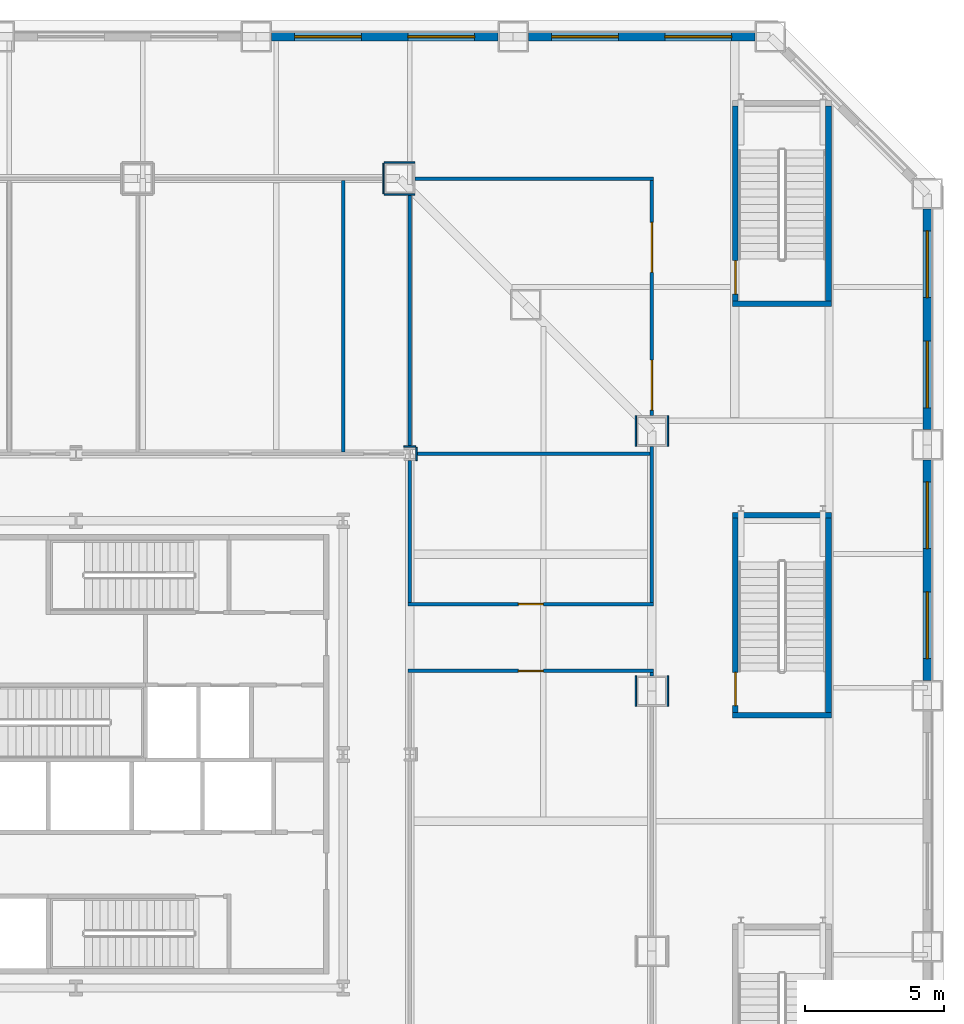
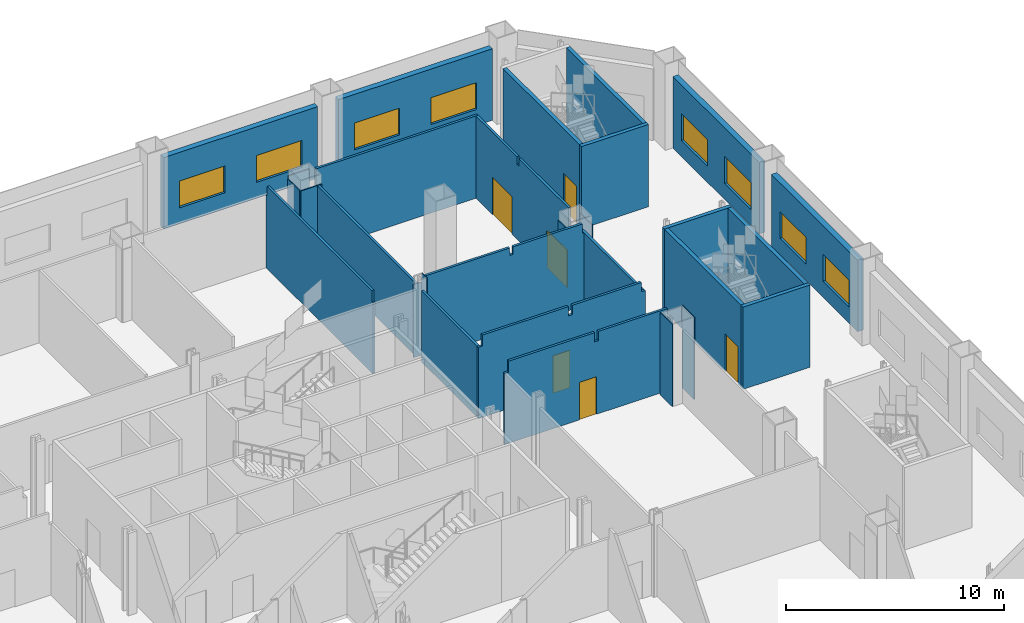
# One storey, part 18 of 26: 30 walls, 8 windows, 6 doors, 14 openings.
"""IFC4 building model written with IfcOpenShell, lengths in metres."""

from ifc_helpers import new_model, si_unit, direction, frame, frame_2d, origin, place, context, subcontext, project, spatial, polyline, rectangle, outline, extrude, material, layer, layer_set, type_object, element, fill, save


model = new_model("IFC4")

# Units and contexts
model_context = context("Model", 3, precision=1e-05, world=origin(), true_north=direction((0.0, 1.0)))
body_context = subcontext(model_context, "Body", "Model", "MODEL_VIEW")
ifc_project = project(units=[si_unit("LENGTHUNIT", "METRE"), si_unit("AREAUNIT", "SQUARE_METRE"), si_unit("VOLUMEUNIT", "CUBIC_METRE"), si_unit("PLANEANGLEUNIT", "RADIAN"), si_unit("MASSUNIT", "GRAM", prefix="KILO")], contexts=[model_context])

# Site, building, storey
site_placement = place(None, origin())
site = spatial("IfcSite", under=ifc_project, at=site_placement, CompositionType="ELEMENT")
building_placement = place(site_placement, origin())
building = spatial("IfcBuilding", under=site, at=building_placement, Name="Cairn Pilgrim Tower", CompositionType="ELEMENT")
storey_placement = place(building_placement, frame((0.0, 0.0, 21.0)))
storey = spatial("IfcBuildingStorey", under=building, at=storey_placement, Name="L03", CompositionType="ELEMENT", Elevation=21.0)

# Wall
ifc_material_1 = material(Name="Gypsum partition")
ifc_layer_1 = layer(ifc_material_1, 0.125)
ifc_layer_set_1 = layer_set([ifc_layer_1], Name="PARTITION 125 DRYWALL EI 60")
wall_type_1 = type_object("IfcWallType", Name="PARTITION 125 DRYWALL EI 60", PredefinedType="PARTITIONING", material=ifc_layer_set_1)
wall_1_placement = place(storey_placement, frame((27.89990234375, 5.2255859375, 0.0), z_axis=(0.0, 0.0, 1.0), x_axis=(0.0, 1.0, 0.0)))
element("IfcWall", 1, at=wall_1_placement, inside=storey, type_object=wall_type_1, Name="PARTITION W042", PredefinedType="PARTITIONING", context=body_context, shape_type="SweptSolid", body=[
    extrude(rectangle(XDim=0.11181640625, YDim=0.125, at=frame_2d((0.055908203125, 0.0))), origin(), (0.0, 0.0, 1.0), 4.080078125),
])

# Wall, opening, door
wall_2_placement = place(storey_placement, frame((19.137451171875, 5.39990234375, 0.0), z_axis=(0.0, 0.0, 1.0), x_axis=(1.0, 0.0, 0.0)))
wall_2 = element("IfcWall", 2, at=wall_2_placement, inside=storey, type_object=wall_type_1, Name="PARTITION W044", PredefinedType="PARTITIONING", context=body_context, shape_type="SweptSolid", body=[
    extrude(outline(polyline([(0.0, 0.0), (8.824951171875, 0.0), (8.824951171875, 4.080078125), (8.612548828125, 4.080078125), (8.610595703125, 4.60009765625), (4.96240234375, 4.60009765625), (4.96044921875, 4.080078125), (4.762451171875, 4.080078125), (4.760498046875, 4.60009765625), (0.21240234375, 4.60009765625), (0.21044921875, 3.97998046875), (0.0, 3.97998046875), (0.0, 0.0)])), frame((0.0, 0.0625, 0.0), z_axis=(0.0, -1.0, 0.0), x_axis=(1.0, 0.0, 0.0)), (0.0, 0.0, 1.0), 0.125),
])
opening_1_placement = place(wall_2_placement, frame((3.96240234375, 0.0, 0.0)))
opening_1 = element("IfcOpeningElement", 3, at=opening_1_placement, cuts=wall_2, Name="Opening 0316", PredefinedType="OPENING", context=body_context, shape_type="SweptSolid", body=[
    extrude(rectangle(XDim=0.89990234375, YDim=2.10009765625, at=frame_2d((0.449951171875, 1.050048828125))), frame((0.0, 0.072509765625, 0.0), z_axis=(0.0, -1.0, 0.0), x_axis=(1.0, 0.0, 0.0)), (0.0, 0.0, 1.0), 0.14501953125),
])
ifc_material_2 = material(Name="Timber door leaf", Category="wood")
door_type_1 = type_object("IfcDoorType", Name="SERVICE DOOR 900x2100 FD30S", OperationType="NOTDEFINED", PredefinedType="DOOR", material=ifc_material_2)
door_1_placement = place(opening_1_placement, origin())
door_1 = element("IfcDoor", 4, at=door_1_placement, inside=storey, type_object=door_type_1, Name="DOOR 0316", OperationType="SINGLE_SWING_RIGHT", OverallHeight=2.10009765625, OverallWidth=0.89990234375, PredefinedType="DOOR", context=body_context, shape_type="SweptSolid", body=[
    extrude(rectangle(XDim=0.89990234375, YDim=2.10009765625, at=frame_2d((0.449951171875, 1.050048828125))), frame((0.0, 0.02490234375, 0.0), z_axis=(0.0, -1.0, 0.0), x_axis=(1.0, 0.0, 0.0)), (0.0, 0.0, 1.0), 0.050048828125),
])
fill(opening_1, door_1)

wall_3_placement = place(storey_placement, frame((19.137451171875, 7.800048828125, 0.0), z_axis=(0.0, 0.0, 1.0), x_axis=(1.0, 0.0, 0.0)))
wall_3 = element("IfcWall", 5, at=wall_3_placement, inside=storey, type_object=wall_type_1, Name="PARTITION W047", PredefinedType="PARTITIONING", context=body_context, shape_type="SweptSolid", body=[
    extrude(outline(polyline([(0.0, 0.0), (8.824951171875, 0.0), (8.824951171875, 4.080078125), (8.612548828125, 4.080078125), (8.610595703125, 4.60009765625), (4.96240234375, 4.60009765625), (4.96044921875, 4.080078125), (4.762451171875, 4.080078125), (4.760498046875, 4.60009765625), (0.21240234375, 4.60009765625), (0.21044921875, 3.97998046875), (0.0, 3.97998046875), (0.0, 0.0)])), frame((0.0, 0.0625, 0.0), z_axis=(0.0, -1.0, 0.0), x_axis=(1.0, 0.0, 0.0)), (0.0, 0.0, 1.0), 0.125),
])
opening_2_placement = place(wall_3_placement, frame((3.96240234375, 0.0, 0.0)))
opening_2 = element("IfcOpeningElement", 6, at=opening_2_placement, cuts=wall_3, Name="Opening 0315", PredefinedType="OPENING", context=body_context, shape_type="SweptSolid", body=[
    extrude(rectangle(XDim=0.89990234375, YDim=2.10009765625, at=frame_2d((0.449951171875, 1.050048828125))), frame((0.0, 0.072509765625, 0.0), z_axis=(0.0, -1.0, 0.0), x_axis=(1.0, 0.0, 0.0)), (0.0, 0.0, 1.0), 0.14501953125),
])
door_type_2 = type_object("IfcDoorType", Name="ROOM DOOR 900x2100 FD30S", OperationType="NOTDEFINED", PredefinedType="DOOR", material=ifc_material_2)
door_2_placement = place(opening_2_placement, frame((0.89990234375, 0.0, 0.0), z_axis=(0.0, 0.0, 1.0), x_axis=(-1.0, 0.0, 0.0)))
door_2 = element("IfcDoor", 7, at=door_2_placement, inside=storey, type_object=door_type_2, Name="DOOR 0315", OperationType="SINGLE_SWING_LEFT", OverallHeight=2.10009765625, OverallWidth=0.89990234375, PredefinedType="DOOR", context=body_context, shape_type="SweptSolid", body=[
    extrude(rectangle(XDim=0.89990234375, YDim=2.10009765625, at=frame_2d((0.449951171875, 1.050048828125))), frame((0.0, 0.02490234375, 0.0), z_axis=(0.0, -1.0, 0.0), x_axis=(1.0, 0.0, 0.0)), (0.0, 0.0, 1.0), 0.050048828125),
])
fill(opening_2, door_2)

# Walls
wall_4_placement = place(storey_placement, frame((19.199951171875, 7.862548828125, 0.0), z_axis=(0.0, 0.0, 1.0), x_axis=(0.0, 1.0, 0.0)))
element("IfcWall", 8, at=wall_4_placement, inside=storey, type_object=wall_type_1, Name="PARTITION W051", PredefinedType="PARTITIONING", context=body_context, shape_type="SweptSolid", body=[
    extrude(rectangle(XDim=5.100341796875, YDim=0.125, at=frame_2d((2.55029296875, 0.0))), origin(), (0.0, 0.0, 1.0), 3.97998046875),
])
wall_5_placement = place(storey_placement, frame((27.89990234375, 7.862548828125, 0.0), z_axis=(0.0, 0.0, 1.0), x_axis=(0.0, 1.0, 0.0)))
element("IfcWall", 9, at=wall_5_placement, inside=storey, type_object=wall_type_1, Name="PARTITION W052", PredefinedType="PARTITIONING", context=body_context, shape_type="SweptSolid", body=[
    extrude(rectangle(XDim=5.61474609375, YDim=0.125, at=frame_2d((2.807373046875, 0.0))), origin(), (0.0, 0.0, 1.0), 4.080078125),
])
wall_6_placement = place(storey_placement, frame((19.412109375, 13.199951171875, 0.0), z_axis=(0.0, 0.0, 1.0), x_axis=(1.0, 0.0, 0.0)))
element("IfcWall", 10, at=wall_6_placement, inside=storey, type_object=wall_type_1, Name="PARTITION W056", PredefinedType="PARTITIONING", context=body_context, shape_type="SweptSolid", body=[
    extrude(outline(polyline([(0.0, 0.0), (8.42529296875, 0.0), (8.425537109375, 4.080078125), (8.337890625, 4.080078125), (8.3359375, 4.60009765625), (4.677978515625, 4.60009765625), (4.676025390625, 4.179931640625), (4.498046875, 4.179931640625), (4.49609375, 4.60009765625), (0.0, 4.60009765625), (0.0, 0.0)])), frame((0.0, 0.0625, 0.0), z_axis=(0.0, -1.0, 0.0), x_axis=(1.0, 0.0, 0.0)), (0.0, 0.0, 1.0), 0.125),
])
wall_7_placement = place(storey_placement, frame((16.800048828125, 13.262451171875, 0.0), z_axis=(0.0, 0.0, 1.0), x_axis=(0.0, 1.0, 0.0)))
element("IfcWall", 11, at=wall_7_placement, inside=storey, type_object=wall_type_1, Name="PARTITION W059", PredefinedType="PARTITIONING", context=body_context, shape_type="SweptSolid", body=[
    extrude(outline(polyline([(0.0, 0.0), (9.775146484375, 0.0), (9.77490234375, 4.080078125), (9.6875, 4.080078125), (9.685546875, 4.60009765625), (0.08740234375, 4.60009765625), (0.08544921875, 3.97998046875), (0.0, 3.97998046875), (0.0, 0.0)])), frame((0.0, 0.0625, 0.0), z_axis=(0.0, -1.0, 0.0), x_axis=(1.0, 0.0, 0.0)), (0.0, 0.0, 1.0), 0.125),
])
wall_8_placement = place(storey_placement, frame((19.199951171875, 13.43701171875, 0.0), z_axis=(0.0, 0.0, 1.0), x_axis=(0.0, 1.0, 0.0)))
element("IfcWall", 12, at=wall_8_placement, inside=storey, type_object=wall_type_1, Name="PARTITION W061", PredefinedType="PARTITIONING", context=body_context, shape_type="SweptSolid", body=[
    extrude(rectangle(XDim=9.113037109375, YDim=0.125, at=frame_2d((4.556640625, 0.0))), origin(), (0.0, 0.0, 1.0), 4.080078125),
])

# Wall, openings, doors
wall_9_placement = place(storey_placement, frame((27.89990234375, 14.5771484375, 0.0), z_axis=(0.0, 0.0, 1.0), x_axis=(0.0, 1.0, 0.0)))
wall_9 = element("IfcWall", 13, at=wall_9_placement, inside=storey, type_object=wall_type_1, Name="PARTITION W062", PredefinedType="PARTITIONING", context=body_context, shape_type="SweptSolid", body=[
    extrude(outline(polyline([(0.0, 0.0), (8.46044921875, 0.0), (8.460205078125, 4.60009765625), (4.712890625, 4.60009765625), (4.710693359375, 4.179931640625), (4.53271484375, 4.179931640625), (4.53076171875, 4.60009765625), (0.0, 4.60009765625), (0.0, 0.0)])), frame((0.0, 0.0625, 0.0), z_axis=(0.0, -1.0, 0.0), x_axis=(1.0, 0.0, 0.0)), (0.0, 0.0, 1.0), 0.125),
])
opening_3_placement = place(wall_9_placement, frame((0.19775390625, 0.0, 0.0)))
opening_3 = element("IfcOpeningElement", 14, at=opening_3_placement, cuts=wall_9, Name="Opening 0317", PredefinedType="OPENING", context=body_context, shape_type="SweptSolid", body=[
    extrude(rectangle(XDim=1.800048828125, YDim=2.10009765625, at=frame_2d((0.89990234375, 1.050048828125))), frame((0.0, 0.072509765625, 0.0), z_axis=(0.0, -1.0, 0.0), x_axis=(1.0, 0.0, 0.0)), (0.0, 0.0, 1.0), 0.14501953125),
])
opening_4_placement = place(wall_9_placement, frame((5.147705078125, 0.0, 0.0)))
opening_4 = element("IfcOpeningElement", 15, at=opening_4_placement, cuts=wall_9, Name="Opening 0318", PredefinedType="OPENING", context=body_context, shape_type="SweptSolid", body=[
    extrude(rectangle(XDim=1.800048828125, YDim=2.10009765625, at=frame_2d((0.89990234375, 1.050048828125))), frame((0.0, 0.072509765625, 0.0), z_axis=(0.0, -1.0, 0.0), x_axis=(1.0, 0.0, 0.0)), (0.0, 0.0, 1.0), 0.14501953125),
])
door_type_3 = type_object("IfcDoorType", Name="DOOR PAIR 1800x2100 FD60S", OperationType="NOTDEFINED", PredefinedType="DOOR", material=ifc_material_2)
door_3_placement = place(opening_3_placement, frame((1.800048828125, 0.0, 0.0), z_axis=(0.0, 0.0, 1.0), x_axis=(-1.0, 0.0, 0.0)))
door_3 = element("IfcDoor", 16, at=door_3_placement, inside=storey, type_object=door_type_3, Name="DOOR 0317", OperationType="DOUBLE_DOOR_SINGLE_SWING", OverallHeight=2.10009765625, OverallWidth=1.800048828125, PredefinedType="DOOR", context=body_context, shape_type="SweptSolid", body=[
    extrude(rectangle(XDim=1.800048828125, YDim=2.10009765625, at=frame_2d((0.89990234375, 1.050048828125))), frame((0.0, 0.02490234375, 0.0), z_axis=(0.0, -1.0, 0.0), x_axis=(1.0, 0.0, 0.0)), (0.0, 0.0, 1.0), 0.050048828125),
])
fill(opening_3, door_3)
door_4_placement = place(opening_4_placement, frame((1.800048828125, 0.0, 0.0), z_axis=(0.0, 0.0, 1.0), x_axis=(-1.0, 0.0, 0.0)))
door_4 = element("IfcDoor", 17, at=door_4_placement, inside=storey, type_object=door_type_3, Name="DOOR 0318", OperationType="DOUBLE_DOOR_SINGLE_SWING", OverallHeight=2.10009765625, OverallWidth=1.800048828125, PredefinedType="DOOR", context=body_context, shape_type="SweptSolid", body=[
    extrude(rectangle(XDim=1.800048828125, YDim=2.10009765625, at=frame_2d((0.89990234375, 1.050048828125))), frame((0.0, 0.02490234375, 0.0), z_axis=(0.0, -1.0, 0.0), x_axis=(1.0, 0.0, 0.0)), (0.0, 0.0, 1.0), 0.050048828125),
])
fill(opening_4, door_4)

# Walls
wall_10_placement = place(storey_placement, frame((19.377197265625, 23.10009765625, 0.0), z_axis=(0.0, 0.0, 1.0), x_axis=(1.0, 0.0, 0.0)))
element("IfcWall", 18, at=wall_10_placement, inside=storey, type_object=wall_type_1, Name="PARTITION W073", PredefinedType="PARTITIONING", context=body_context, shape_type="SweptSolid", body=[
    extrude(rectangle(XDim=8.585205078125, YDim=0.125, at=frame_2d((4.29248046875, 0.0))), origin(), (0.0, 0.0, 1.0), 4.60009765625),
])
ifc_layer_2 = layer(ifc_material_1, 0.050048828125)
ifc_layer_set_2 = layer_set([ifc_layer_2], Name="PARTITION 50 DRYWALL EI 60")
wall_type_2 = type_object("IfcWallType", Name="PARTITION 50 DRYWALL EI 60", PredefinedType="PARTITIONING", material=ifc_layer_set_2)
for number, where, z_axis, x_axis, name in (
    (19, (27.324951171875, 4.125732421875, 0.0), (0.0, 0.0, 1.0), (0.0, 1.0, 0.0), "COLUMN CASING WC20"),
    (20, (28.47509765625, 4.125732421875, 0.0), (0.0, 0.0, 1.0), (0.0, 1.0, 0.0), "COLUMN CASING WC21"),
):
    element("IfcWall", number, at=place(storey_placement, frame(where, z_axis=z_axis, x_axis=x_axis)), inside=storey, type_object=wall_type_2, Name=name, PredefinedType="PARTITIONING", context=body_context, shape_type="SweptSolid", body=[
        extrude(rectangle(XDim=1.099853515625, YDim=0.050048828125, at=frame_2d((0.5498046875, 0.0))), origin(), (0.0, 0.0, 1.0), 4.60009765625),
    ])
wall_11_placement = place(storey_placement, frame((19.43701171875, 12.962890625, 0.0), z_axis=(0.0, 0.0, 1.0), x_axis=(0.0, 1.0, 0.0)))
element("IfcWall", 21, at=wall_11_placement, inside=storey, type_object=wall_type_2, Name="COLUMN CASING WC30", PredefinedType="PARTITIONING", context=body_context, shape_type="SweptSolid", body=[
    extrude(rectangle(XDim=0.47412109375, YDim=0.050048828125, at=frame_2d((0.237060546875, 0.0))), origin(), (0.0, 0.0, 1.0), 4.60009765625),
])
for number, where, z_axis, x_axis, name in (
    (22, (27.324951171875, 13.477294921875, 0.0), (0.0, 0.0, 1.0), (0.0, 1.0, 0.0), "COLUMN CASING WC31"),
    (23, (28.47509765625, 13.477294921875, 0.0), (0.0, 0.0, 1.0), (0.0, 1.0, 0.0), "COLUMN CASING WC32"),
):
    element("IfcWall", number, at=place(storey_placement, frame(where, z_axis=z_axis, x_axis=x_axis)), inside=storey, type_object=wall_type_2, Name=name, PredefinedType="PARTITIONING", context=body_context, shape_type="SweptSolid", body=[
        extrude(rectangle(XDim=1.099853515625, YDim=0.050048828125, at=frame_2d((0.5498046875, 0.0))), origin(), (0.0, 0.0, 1.0), 4.080078125),
    ])
wall_12_placement = place(storey_placement, frame((18.988037109375, 13.4619140625, 0.0), z_axis=(0.0, 0.0, 1.0), x_axis=(1.0, 0.0, 0.0)))
element("IfcWall", 24, at=wall_12_placement, inside=storey, type_object=wall_type_2, Name="COLUMN CASING WC35", PredefinedType="PARTITIONING", context=body_context, shape_type="SweptSolid", body=[
    extrude(rectangle(XDim=0.424072265625, YDim=0.050048828125, at=frame_2d((0.2119140625, 0.0))), origin(), (0.0, 0.0, 1.0), 4.080078125),
])
wall_13_placement = place(storey_placement, frame((18.252197265625, 22.550048828125, 0.0), z_axis=(0.0, 0.0, 1.0), x_axis=(0.0, 1.0, 0.0)))
element("IfcWall", 25, at=wall_13_placement, inside=storey, type_object=wall_type_2, Name="COLUMN CASING WC38", PredefinedType="PARTITIONING", context=body_context, shape_type="SweptSolid", body=[
    extrude(rectangle(XDim=1.099853515625, YDim=0.050048828125, at=frame_2d((0.5498046875, 0.0))), origin(), (0.0, 0.0, 1.0), 4.080078125),
])
wall_14_placement = place(storey_placement, frame((18.277099609375, 22.52490234375, 0.0), z_axis=(0.0, 0.0, 1.0), x_axis=(1.0, 0.0, 0.0)))
element("IfcWall", 26, at=wall_14_placement, inside=storey, type_object=wall_type_2, Name="COLUMN CASING WC47", PredefinedType="PARTITIONING", context=body_context, shape_type="SweptSolid", body=[
    extrude(rectangle(XDim=1.10009765625, YDim=0.050048828125, at=frame_2d((0.550048828125, 0.0))), origin(), (0.0, 0.0, 1.0), 4.080078125),
])
wall_15_placement = place(storey_placement, frame((18.277099609375, 23.675048828125, 0.0), z_axis=(0.0, 0.0, 1.0), x_axis=(1.0, 0.0, 0.0)))
element("IfcWall", 27, at=wall_15_placement, inside=storey, type_object=wall_type_2, Name="COLUMN CASING WC48", PredefinedType="PARTITIONING", context=body_context, shape_type="SweptSolid", body=[
    extrude(rectangle(XDim=1.10009765625, YDim=0.050048828125, at=frame_2d((0.550048828125, 0.0))), origin(), (0.0, 0.0, 1.0), 4.219970703125),
])
ifc_material_3 = material(Name="Concrete C35/45", Category="concrete")
ifc_layer_3 = layer(ifc_material_3, 0.199951171875)
ifc_layer_set_3 = layer_set([ifc_layer_3], Name="PODIUM STAIR WALL 200 EI 120")
wall_type_3 = type_object("IfcWallType", Name="PODIUM STAIR WALL 200 EI 120", PredefinedType="SOLIDWALL", material=ifc_layer_set_3)
wall_16_placement = place(storey_placement, frame((30.800048828125, 3.800048828125, 0.0), z_axis=(0.0, 0.0, 1.0), x_axis=(1.0, 0.0, 0.0)))
element("IfcWall", 28, at=wall_16_placement, inside=storey, type_object=wall_type_3, Name="STAIR SHAFT WALL W039", PredefinedType="SOLIDWALL", context=body_context, shape_type="SweptSolid", body=[
    extrude(rectangle(XDim=3.550048828125, YDim=0.199951171875, at=frame_2d((1.77490234375, 0.0))), origin(), (0.0, 0.0, 1.0), 4.60009765625),
])

# Wall, opening, door
wall_17_placement = place(storey_placement, frame((30.89990234375, 3.89990234375, 0.0), z_axis=(0.0, 0.0, 1.0), x_axis=(0.0, 1.0, 0.0)))
wall_17 = element("IfcWall", 29, at=wall_17_placement, inside=storey, type_object=wall_type_3, Name="STAIR SHAFT WALL W040", PredefinedType="SOLIDWALL", context=body_context, shape_type="SweptSolid", body=[
    extrude(rectangle(XDim=7.0, YDim=0.199951171875, at=frame_2d((3.5, 0.0))), origin(), (0.0, 0.0, 1.0), 4.60009765625),
])
opening_5_placement = place(wall_17_placement, frame((0.25, 0.0, 0.0)))
opening_5 = element("IfcOpeningElement", 30, at=opening_5_placement, cuts=wall_17, Name="Opening 0327", PredefinedType="OPENING", context=body_context, shape_type="SweptSolid", body=[
    extrude(rectangle(XDim=1.199951171875, YDim=2.10009765625, at=frame_2d((0.60009765625, 1.050048828125))), frame((0.0, 0.10986328125, 0.0), z_axis=(0.0, -1.0, 0.0), x_axis=(1.0, 0.0, 0.0)), (0.0, 0.0, 1.0), 0.219970703125),
])
ifc_material_4 = material(Name="Steel-faced fire door leaf", Category="steel")
door_type_4 = type_object("IfcDoorType", Name="FIRE DOOR 1200x2100 FD60S", OperationType="NOTDEFINED", PredefinedType="DOOR", material=ifc_material_4)
door_5_placement = place(opening_5_placement, frame((1.199951171875, 0.0, 0.0), z_axis=(0.0, 0.0, 1.0), x_axis=(-1.0, 0.0, 0.0)))
door_5 = element("IfcDoor", 31, at=door_5_placement, inside=storey, type_object=door_type_4, Name="DOOR 0327", OperationType="SINGLE_SWING_RIGHT", OverallHeight=2.10009765625, OverallWidth=1.199951171875, PredefinedType="DOOR", context=body_context, shape_type="SweptSolid", body=[
    extrude(rectangle(XDim=1.199951171875, YDim=2.10009765625, at=frame_2d((0.60009765625, 1.050048828125))), frame((0.0, 0.02490234375, 0.0), z_axis=(0.0, -1.0, 0.0), x_axis=(1.0, 0.0, 0.0)), (0.0, 0.0, 1.0), 0.050048828125),
])
fill(opening_5, door_5)

# Walls
wall_18_placement = place(storey_placement, frame((34.25, 3.89990234375, 0.0), z_axis=(0.0, 0.0, 1.0), x_axis=(0.0, 1.0, 0.0)))
element("IfcWall", 32, at=wall_18_placement, inside=storey, type_object=wall_type_3, Name="STAIR SHAFT WALL W041", PredefinedType="SOLIDWALL", context=body_context, shape_type="SweptSolid", body=[
    extrude(rectangle(XDim=7.0, YDim=0.199951171875, at=frame_2d((3.5, 0.0))), origin(), (0.0, 0.0, 1.0), 4.60009765625),
])
for number, where, z_axis, x_axis, name in (
    (33, (30.800048828125, 11.0, 0.0), (0.0, 0.0, 1.0), (1.0, 0.0, 0.0), "STAIR SHAFT WALL W053"),
    (34, (30.800048828125, 18.60009765625, 0.0), (0.0, 0.0, 1.0), (1.0, 0.0, 0.0), "STAIR SHAFT WALL W063"),
):
    element("IfcWall", number, at=place(storey_placement, frame(where, z_axis=z_axis, x_axis=x_axis)), inside=storey, type_object=wall_type_3, Name=name, PredefinedType="SOLIDWALL", context=body_context, shape_type="SweptSolid", body=[
        extrude(rectangle(XDim=3.550048828125, YDim=0.199951171875, at=frame_2d((1.77490234375, 0.0))), origin(), (0.0, 0.0, 1.0), 4.60009765625),
    ])

# Wall, opening, door
wall_19_placement = place(storey_placement, frame((30.89990234375, 18.699951171875, 0.0), z_axis=(0.0, 0.0, 1.0), x_axis=(0.0, 1.0, 0.0)))
wall_19 = element("IfcWall", 35, at=wall_19_placement, inside=storey, type_object=wall_type_3, Name="STAIR SHAFT WALL W064", PredefinedType="SOLIDWALL", context=body_context, shape_type="SweptSolid", body=[
    extrude(rectangle(XDim=7.0, YDim=0.199951171875, at=frame_2d((3.5, 0.0))), origin(), (0.0, 0.0, 1.0), 4.60009765625),
])
opening_6_placement = place(wall_19_placement, frame((0.25, 0.0, 0.0)))
opening_6 = element("IfcOpeningElement", 36, at=opening_6_placement, cuts=wall_19, Name="Opening 0328", PredefinedType="OPENING", context=body_context, shape_type="SweptSolid", body=[
    extrude(rectangle(XDim=1.199951171875, YDim=2.10009765625, at=frame_2d((0.60009765625, 1.050048828125))), frame((0.0, 0.10986328125, 0.0), z_axis=(0.0, -1.0, 0.0), x_axis=(1.0, 0.0, 0.0)), (0.0, 0.0, 1.0), 0.219970703125),
])
door_6_placement = place(opening_6_placement, frame((1.199951171875, 0.0, 0.0), z_axis=(0.0, 0.0, 1.0), x_axis=(-1.0, 0.0, 0.0)))
door_6 = element("IfcDoor", 37, at=door_6_placement, inside=storey, type_object=door_type_4, Name="DOOR 0328", OperationType="SINGLE_SWING_LEFT", OverallHeight=2.10009765625, OverallWidth=1.199951171875, PredefinedType="DOOR", context=body_context, shape_type="SweptSolid", body=[
    extrude(rectangle(XDim=1.199951171875, YDim=2.10009765625, at=frame_2d((0.60009765625, 1.050048828125))), frame((0.0, 0.02490234375, 0.0), z_axis=(0.0, -1.0, 0.0), x_axis=(1.0, 0.0, 0.0)), (0.0, 0.0, 1.0), 0.050048828125),
])
fill(opening_6, door_6)

# Wall
wall_20_placement = place(storey_placement, frame((34.25, 18.699951171875, 0.0), z_axis=(0.0, 0.0, 1.0), x_axis=(0.0, 1.0, 0.0)))
element("IfcWall", 38, at=wall_20_placement, inside=storey, type_object=wall_type_3, Name="STAIR SHAFT WALL W065", PredefinedType="SOLIDWALL", context=body_context, shape_type="SweptSolid", body=[
    extrude(rectangle(XDim=7.0, YDim=0.199951171875, at=frame_2d((3.5, 0.0))), origin(), (0.0, 0.0, 1.0), 4.60009765625),
])

# Wall, openings, windows
ifc_material_5 = material(Name="Concrete C35/45 backup wall with bronze aluminium cladding", Category="concrete")
ifc_layer_4 = layer(ifc_material_5, 0.300048828125)
ifc_layer_set_4 = layer_set([ifc_layer_4], Name="PODIUM WALL 300 BRONZE-CLAD")
wall_type_4 = type_object("IfcWallType", Name="PODIUM WALL 300 BRONZE-CLAD", PredefinedType="SOLIDWALL", material=ifc_layer_set_4)
wall_21_placement = place(storey_placement, frame((37.800048828125, 5.060302734375, 0.0), z_axis=(0.0, 0.0, 1.0), x_axis=(0.0, 1.0, 0.0)))
wall_21 = element("IfcWall", 39, at=wall_21_placement, inside=storey, type_object=wall_type_4, Name="PODIUM EXTERNAL WALL E4-E5", PredefinedType="SOLIDWALL", context=body_context, shape_type="SweptSolid", body=[
    extrude(rectangle(XDim=7.920654296875, YDim=0.300048828125, at=frame_2d((3.96044921875, 0.0))), origin(), (0.0, 0.0, 1.0), 4.0),
])
opening_7_placement = place(wall_21_placement, frame((0.780029296875, 0.0, 0.89990234375)))
opening_7 = element("IfcOpeningElement", 40, at=opening_7_placement, cuts=wall_21, Name="Opening PW15", PredefinedType="OPENING", context=body_context, shape_type="SweptSolid", body=[
    extrude(rectangle(XDim=2.39990234375, YDim=1.5, at=frame_2d((1.199951171875, 0.75))), frame((0.0, 0.16015625, 0.0), z_axis=(0.0, -1.0, 0.0), x_axis=(1.0, 0.0, 0.0)), (0.0, 0.0, 1.0), 0.320068359375),
])
opening_8_placement = place(wall_21_placement, frame((4.740478515625, 0.0, 0.89990234375)))
opening_8 = element("IfcOpeningElement", 41, at=opening_8_placement, cuts=wall_21, Name="Opening PW15", PredefinedType="OPENING", context=body_context, shape_type="SweptSolid", body=[
    extrude(rectangle(XDim=2.39990234375, YDim=1.5, at=frame_2d((1.199951171875, 0.75))), frame((0.0, 0.16015625, 0.0), z_axis=(0.0, -1.0, 0.0), x_axis=(1.0, 0.0, 0.0)), (0.0, 0.0, 1.0), 0.320068359375),
])
ifc_material_6 = material(Name="Bronze anodised aluminium frame with tinted low-E glass", Category="aluminium")
window_type = type_object("IfcWindowType", Name="PODIUM FIXED WINDOW 2400x1500", PartitioningType="SINGLE_PANEL", PredefinedType="WINDOW", material=ifc_material_6)
window_1_placement = place(opening_7_placement, origin())
window_1 = element("IfcWindow", 42, at=window_1_placement, inside=storey, type_object=window_type, Name="PODIUM WINDOW", OverallHeight=1.5, OverallWidth=2.39990234375, PartitioningType="SINGLE_PANEL", PredefinedType="WINDOW", context=body_context, shape_type="SweptSolid", body=[
    extrude(rectangle(XDim=2.39990234375, YDim=1.5, at=frame_2d((1.199951171875, 0.75))), frame((0.0, 0.030029296875, 0.0), z_axis=(0.0, -1.0, 0.0), x_axis=(1.0, 0.0, 0.0)), (0.0, 0.0, 1.0), 0.06005859375),
])
fill(opening_7, window_1)
window_2_placement = place(opening_8_placement, origin())
window_2 = element("IfcWindow", 43, at=window_2_placement, inside=storey, type_object=window_type, Name="PODIUM WINDOW", OverallHeight=1.5, OverallWidth=2.39990234375, PartitioningType="SINGLE_PANEL", PredefinedType="WINDOW", context=body_context, shape_type="SweptSolid", body=[
    extrude(rectangle(XDim=2.39990234375, YDim=1.5, at=frame_2d((1.199951171875, 0.75))), frame((0.0, 0.030029296875, 0.0), z_axis=(0.0, -1.0, 0.0), x_axis=(1.0, 0.0, 0.0)), (0.0, 0.0, 1.0), 0.06005859375),
])
fill(opening_8, window_2)

wall_22_placement = place(storey_placement, frame((37.800048828125, 14.080810546875, 0.0), z_axis=(0.0, 0.0, 1.0), x_axis=(0.0, 1.0, 0.0)))
wall_22 = element("IfcWall", 44, at=wall_22_placement, inside=storey, type_object=wall_type_4, Name="PODIUM EXTERNAL WALL E5-NE1", PredefinedType="SOLIDWALL", context=body_context, shape_type="SweptSolid", body=[
    extrude(rectangle(XDim=7.920654296875, YDim=0.300048828125, at=frame_2d((3.96044921875, 0.0))), origin(), (0.0, 0.0, 1.0), 4.0),
])
opening_9_placement = place(wall_22_placement, frame((0.780029296875, 0.0, 0.89990234375)))
opening_9 = element("IfcOpeningElement", 45, at=opening_9_placement, cuts=wall_22, Name="Opening PW15", PredefinedType="OPENING", context=body_context, shape_type="SweptSolid", body=[
    extrude(rectangle(XDim=2.39990234375, YDim=1.5, at=frame_2d((1.199951171875, 0.75))), frame((0.0, 0.16015625, 0.0), z_axis=(0.0, -1.0, 0.0), x_axis=(1.0, 0.0, 0.0)), (0.0, 0.0, 1.0), 0.320068359375),
])
opening_10_placement = place(wall_22_placement, frame((4.740478515625, 0.0, 0.89990234375)))
opening_10 = element("IfcOpeningElement", 46, at=opening_10_placement, cuts=wall_22, Name="Opening PW15", PredefinedType="OPENING", context=body_context, shape_type="SweptSolid", body=[
    extrude(rectangle(XDim=2.39990234375, YDim=1.5, at=frame_2d((1.199951171875, 0.75))), frame((0.0, 0.16015625, 0.0), z_axis=(0.0, -1.0, 0.0), x_axis=(1.0, 0.0, 0.0)), (0.0, 0.0, 1.0), 0.320068359375),
])
window_3_placement = place(opening_9_placement, origin())
window_3 = element("IfcWindow", 47, at=window_3_placement, inside=storey, type_object=window_type, Name="PODIUM WINDOW", OverallHeight=1.5, OverallWidth=2.39990234375, PartitioningType="SINGLE_PANEL", PredefinedType="WINDOW", context=body_context, shape_type="SweptSolid", body=[
    extrude(rectangle(XDim=2.39990234375, YDim=1.5, at=frame_2d((1.199951171875, 0.75))), frame((0.0, 0.030029296875, 0.0), z_axis=(0.0, -1.0, 0.0), x_axis=(1.0, 0.0, 0.0)), (0.0, 0.0, 1.0), 0.06005859375),
])
fill(opening_9, window_3)
window_4_placement = place(opening_10_placement, origin())
window_4 = element("IfcWindow", 48, at=window_4_placement, inside=storey, type_object=window_type, Name="PODIUM WINDOW", OverallHeight=1.5, OverallWidth=2.39990234375, PartitioningType="SINGLE_PANEL", PredefinedType="WINDOW", context=body_context, shape_type="SweptSolid", body=[
    extrude(rectangle(XDim=2.39990234375, YDim=1.5, at=frame_2d((1.199951171875, 0.75))), frame((0.0, 0.030029296875, 0.0), z_axis=(0.0, -1.0, 0.0), x_axis=(1.0, 0.0, 0.0)), (0.0, 0.0, 1.0), 0.06005859375),
])
fill(opening_10, window_4)

wall_23_placement = place(storey_placement, frame((31.6015625, 28.199951171875, 0.0), z_axis=(0.0, 0.0, 1.0), x_axis=(-1.0, 0.0, 0.0)))
wall_23 = element("IfcWall", 49, at=wall_23_placement, inside=storey, type_object=wall_type_4, Name="PODIUM EXTERNAL WALL N1-N2", PredefinedType="SOLIDWALL", context=body_context, shape_type="SweptSolid", body=[
    extrude(rectangle(XDim=8.137939453125, YDim=0.300048828125, at=frame_2d((4.06884765625, 0.0))), origin(), (0.0, 0.0, 1.0), 4.0),
])
opening_11_placement = place(wall_23_placement, frame((0.83447265625, 0.0, 0.89990234375)))
opening_11 = element("IfcOpeningElement", 50, at=opening_11_placement, cuts=wall_23, Name="Opening PW15", PredefinedType="OPENING", context=body_context, shape_type="SweptSolid", body=[
    extrude(rectangle(XDim=2.39990234375, YDim=1.5, at=frame_2d((1.199951171875, 0.75))), frame((0.0, 0.16015625, 0.0), z_axis=(0.0, -1.0, 0.0), x_axis=(1.0, 0.0, 0.0)), (0.0, 0.0, 1.0), 0.320068359375),
])
opening_12_placement = place(wall_23_placement, frame((4.9033203125, 0.0, 0.89990234375)))
opening_12 = element("IfcOpeningElement", 51, at=opening_12_placement, cuts=wall_23, Name="Opening PW15", PredefinedType="OPENING", context=body_context, shape_type="SweptSolid", body=[
    extrude(rectangle(XDim=2.39990234375, YDim=1.5, at=frame_2d((1.199951171875, 0.75))), frame((0.0, 0.16015625, 0.0), z_axis=(0.0, -1.0, 0.0), x_axis=(1.0, 0.0, 0.0)), (0.0, 0.0, 1.0), 0.320068359375),
])
window_5_placement = place(opening_11_placement, origin())
window_5 = element("IfcWindow", 52, at=window_5_placement, inside=storey, type_object=window_type, Name="PODIUM WINDOW", OverallHeight=1.5, OverallWidth=2.39990234375, PartitioningType="SINGLE_PANEL", PredefinedType="WINDOW", context=body_context, shape_type="SweptSolid", body=[
    extrude(rectangle(XDim=2.39990234375, YDim=1.5, at=frame_2d((1.199951171875, 0.75))), frame((0.0, 0.030029296875, 0.0), z_axis=(0.0, -1.0, 0.0), x_axis=(1.0, 0.0, 0.0)), (0.0, 0.0, 1.0), 0.06005859375),
])
fill(opening_11, window_5)
window_6_placement = place(opening_12_placement, origin())
window_6 = element("IfcWindow", 53, at=window_6_placement, inside=storey, type_object=window_type, Name="PODIUM WINDOW", OverallHeight=1.5, OverallWidth=2.39990234375, PartitioningType="SINGLE_PANEL", PredefinedType="WINDOW", context=body_context, shape_type="SweptSolid", body=[
    extrude(rectangle(XDim=2.39990234375, YDim=1.5, at=frame_2d((1.199951171875, 0.75))), frame((0.0, 0.030029296875, 0.0), z_axis=(0.0, -1.0, 0.0), x_axis=(1.0, 0.0, 0.0)), (0.0, 0.0, 1.0), 0.06005859375),
])
fill(opening_12, window_6)

wall_24_placement = place(storey_placement, frame((22.363525390625, 28.199951171875, 0.0), z_axis=(0.0, 0.0, 1.0), x_axis=(-1.0, 0.0, 0.0)))
wall_24 = element("IfcWall", 54, at=wall_24_placement, inside=storey, type_object=wall_type_4, Name="PODIUM EXTERNAL WALL N2-N3", PredefinedType="SOLIDWALL", context=body_context, shape_type="SweptSolid", body=[
    extrude(rectangle(XDim=8.137939453125, YDim=0.300048828125, at=frame_2d((4.06884765625, 0.0))), origin(), (0.0, 0.0, 1.0), 4.0),
])
opening_13_placement = place(wall_24_placement, frame((0.83447265625, 0.0, 0.89990234375)))
opening_13 = element("IfcOpeningElement", 55, at=opening_13_placement, cuts=wall_24, Name="Opening PW15", PredefinedType="OPENING", context=body_context, shape_type="SweptSolid", body=[
    extrude(rectangle(XDim=2.39990234375, YDim=1.5, at=frame_2d((1.199951171875, 0.75))), frame((0.0, 0.16015625, 0.0), z_axis=(0.0, -1.0, 0.0), x_axis=(1.0, 0.0, 0.0)), (0.0, 0.0, 1.0), 0.320068359375),
])
opening_14_placement = place(wall_24_placement, frame((4.9033203125, 0.0, 0.89990234375)))
opening_14 = element("IfcOpeningElement", 56, at=opening_14_placement, cuts=wall_24, Name="Opening PW15", PredefinedType="OPENING", context=body_context, shape_type="SweptSolid", body=[
    extrude(rectangle(XDim=2.39990234375, YDim=1.5, at=frame_2d((1.199951171875, 0.75))), frame((0.0, 0.16015625, 0.0), z_axis=(0.0, -1.0, 0.0), x_axis=(1.0, 0.0, 0.0)), (0.0, 0.0, 1.0), 0.320068359375),
])
window_7_placement = place(opening_13_placement, origin())
window_7 = element("IfcWindow", 57, at=window_7_placement, inside=storey, type_object=window_type, Name="PODIUM WINDOW", OverallHeight=1.5, OverallWidth=2.39990234375, PartitioningType="SINGLE_PANEL", PredefinedType="WINDOW", context=body_context, shape_type="SweptSolid", body=[
    extrude(rectangle(XDim=2.39990234375, YDim=1.5, at=frame_2d((1.199951171875, 0.75))), frame((0.0, 0.030029296875, 0.0), z_axis=(0.0, -1.0, 0.0), x_axis=(1.0, 0.0, 0.0)), (0.0, 0.0, 1.0), 0.06005859375),
])
fill(opening_13, window_7)
window_8_placement = place(opening_14_placement, origin())
window_8 = element("IfcWindow", 58, at=window_8_placement, inside=storey, type_object=window_type, Name="PODIUM WINDOW", OverallHeight=1.5, OverallWidth=2.39990234375, PartitioningType="SINGLE_PANEL", PredefinedType="WINDOW", context=body_context, shape_type="SweptSolid", body=[
    extrude(rectangle(XDim=2.39990234375, YDim=1.5, at=frame_2d((1.199951171875, 0.75))), frame((0.0, 0.030029296875, 0.0), z_axis=(0.0, -1.0, 0.0), x_axis=(1.0, 0.0, 0.0)), (0.0, 0.0, 1.0), 0.06005859375),
])
fill(opening_14, window_8)

save(model, "model.ifc")
